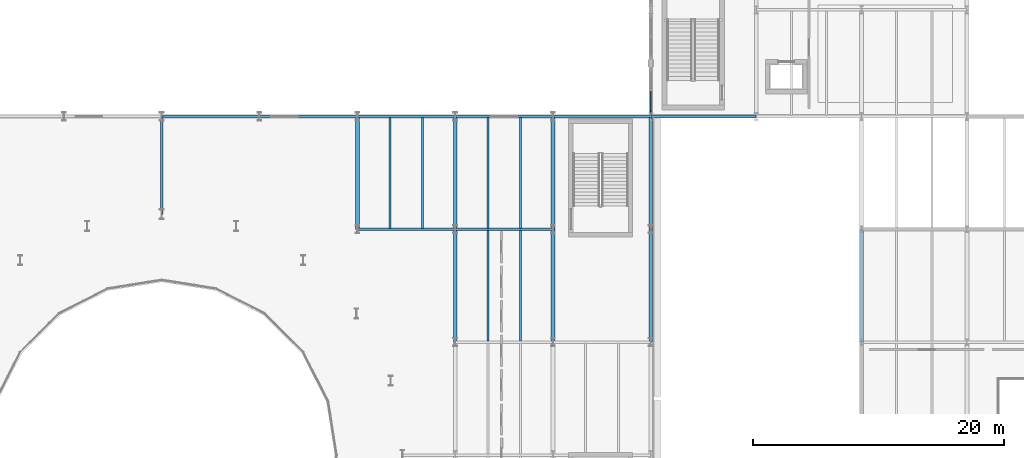
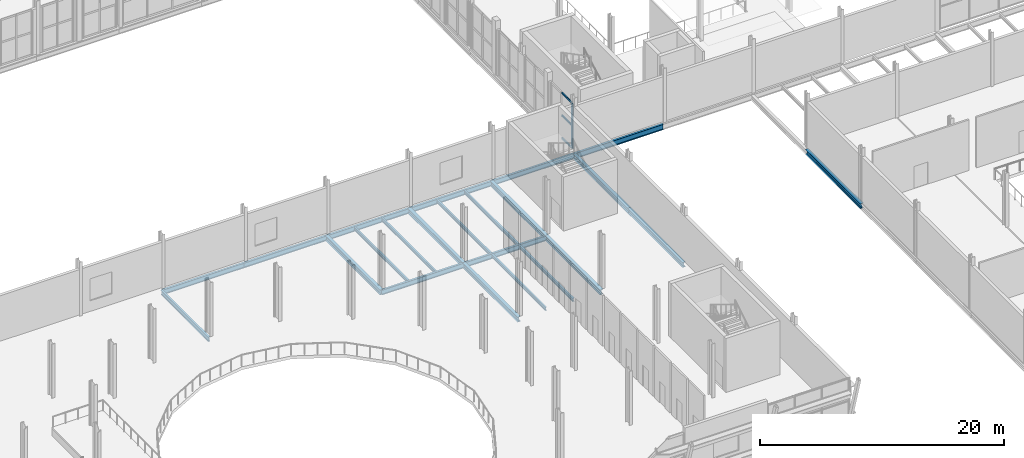
# One storey, part 22 of 78: 23 beams, 4 members, 1 element without a shape of its own.
"""IFC4 building model written with IfcOpenShell, lengths in metres."""

from ifc_helpers import new_model, si_unit, direction, frame, origin, origin_2d, place, context, subcontext, project, spatial, rectangle, i_section, extrude, material, layer, layer_set, material_profile, profile_set, type_object, element, aggregate, save


model = new_model("IFC4")

# Units and contexts
model_context = context("Model", 3, precision=1e-05, world=origin(), true_north=direction((0.0, 1.0)))
body_context = subcontext(model_context, "Body", "Model", "MODEL_VIEW")
ifc_project = project(units=[si_unit("LENGTHUNIT", "METRE"), si_unit("AREAUNIT", "SQUARE_METRE"), si_unit("VOLUMEUNIT", "CUBIC_METRE"), si_unit("PLANEANGLEUNIT", "RADIAN"), si_unit("MASSUNIT", "GRAM", prefix="KILO")], contexts=[model_context])

# Site, building, storey
site_placement = place(None, origin())
site = spatial("IfcSite", under=ifc_project, at=site_placement, CompositionType="ELEMENT")
building_placement = place(site_placement, origin())
building = spatial("IfcBuilding", under=site, at=building_placement, Name="Sefraquen Railside Congress Hotel", CompositionType="ELEMENT")
storey_placement = place(building_placement, frame((0.0, 0.0, 6.0)))
storey = spatial("IfcBuildingStorey", under=building, at=storey_placement, Name="L01", CompositionType="ELEMENT", Elevation=6.0)

# Beams
ifc_material_1 = material(Name="Steel S355JR", Category="steel")
ifc_material_profile_1 = material_profile(ifc_material_1, i_section(OverallWidth=0.18994140625, OverallDepth=0.449951171875, WebThickness=0.009521484375, FlangeThickness=0.0146484375, FilletRadius=0.02099609375, at=origin_2d()), Name="IPE 450")
ifc_profile_set_1 = profile_set([ifc_material_profile_1], Name="Steel S355JR")
beam_type_1 = type_object("IfcBeamType", Name="TB-BM-450", PredefinedType="BEAM", material=ifc_profile_set_1)
beam_1_placement = place(storey_placement, frame((64.199951171875, 46.199951171875, -0.52490234375), z_axis=(0.0, 1.0, 0.0), x_axis=(-1.0, 0.0, 0.0)))
element("IfcBeam", 1, at=beam_1_placement, inside=storey, type_object=beam_type_1, Name="Floor beam BM-L01-0572", PredefinedType="BEAM", context=body_context, shape_type="SweptSolid", body=[
    extrude(i_section(OverallWidth=0.18994140625, OverallDepth=0.449951171875, WebThickness=0.009521484375, FlangeThickness=0.0146484375, FilletRadius=0.02099609375, at=origin_2d()), origin(), (0.0, 0.0, 1.0), 7.800048828125),
])
ifc_material_profile_2 = material_profile(ifc_material_1, i_section(OverallWidth=0.199951171875, OverallDepth=0.5, WebThickness=0.01025390625, FlangeThickness=0.01611328125, FilletRadius=0.02099609375, at=origin_2d()), Name="IPE 500")
ifc_profile_set_2 = profile_set([ifc_material_profile_2], Name="Steel S355JR")
beam_type_2 = type_object("IfcBeamType", Name="TB-BM-500", PredefinedType="BEAM", material=ifc_profile_set_2)
beam_2_placement = place(storey_placement, frame((79.800048828125, 45.0, -0.550048828125), z_axis=(1.0, 0.0, 0.0), x_axis=(0.0, 1.0, 0.0)))
element("IfcBeam", 2, at=beam_2_placement, inside=storey, type_object=beam_type_2, Name="Primary girder BM-L01-0384", PredefinedType="BEAM", context=body_context, shape_type="SweptSolid", body=[
    extrude(i_section(OverallWidth=0.199951171875, OverallDepth=0.5, WebThickness=0.01025390625, FlangeThickness=0.01611328125, FilletRadius=0.02099609375, at=origin_2d()), origin(), (0.0, 0.0, 1.0), 7.800048828125),
])
beam_3_placement = place(storey_placement, frame((87.60009765625, 45.0, -0.550048828125), z_axis=(1.0, 0.0, 0.0), x_axis=(0.0, 1.0, 0.0)))
element("IfcBeam", 3, at=beam_3_placement, inside=storey, type_object=beam_type_2, Name="Primary girder BM-L01-0385", PredefinedType="BEAM", context=body_context, shape_type="SweptSolid", body=[
    extrude(i_section(OverallWidth=0.199951171875, OverallDepth=0.5, WebThickness=0.01025390625, FlangeThickness=0.01611328125, FilletRadius=0.02099609375, at=origin_2d()), origin(), (0.0, 0.0, 1.0), 7.7998046875),
])
for number, where, z_axis, x_axis, name in (
    (4, (64.199951171875, 54.0, -0.550048828125), (1.0, 0.0, 0.0), (0.0, 1.0, 0.0), "Primary girder BM-L01-0397"),
    (5, (72.0, 54.0, -0.550048828125), (1.0, 0.0, 0.0), (0.0, 1.0, 0.0), "Primary girder BM-L01-0398"),
    (6, (79.800048828125, 54.0, -0.550048828125), (1.0, 0.0, 0.0), (0.0, 1.0, 0.0), "Primary girder BM-L01-0399"),
):
    element("IfcBeam", number, at=place(storey_placement, frame(where, z_axis=z_axis, x_axis=x_axis)), inside=storey, type_object=beam_type_2, Name=name, PredefinedType="BEAM", context=body_context, shape_type="SweptSolid", body=[
        extrude(i_section(OverallWidth=0.199951171875, OverallDepth=0.5, WebThickness=0.01025390625, FlangeThickness=0.01611328125, FilletRadius=0.02099609375, at=origin_2d()), origin(), (0.0, 0.0, 1.0), 7.800048828125),
    ])
beam_4_placement = place(storey_placement, frame((87.60009765625, 54.0, -0.550048828125), z_axis=(1.0, 0.0, 0.0), x_axis=(0.0, 1.0, 0.0)))
element("IfcBeam", 7, at=beam_4_placement, inside=storey, type_object=beam_type_2, Name="Primary girder BM-L01-0400", PredefinedType="BEAM", context=body_context, shape_type="SweptSolid", body=[
    extrude(i_section(OverallWidth=0.199951171875, OverallDepth=0.5, WebThickness=0.01025390625, FlangeThickness=0.01611328125, FilletRadius=0.02099609375, at=origin_2d()), origin(), (0.0, 0.0, 1.0), 7.7998046875),
])
beam_5_placement = place(storey_placement, frame((95.39990234375, 54.0, -0.550048828125), z_axis=(1.0, 0.0, 0.0), x_axis=(0.0, 1.0, 0.0)))
element("IfcBeam", 8, at=beam_5_placement, inside=storey, type_object=beam_type_2, Name="Primary girder BM-L01-0401", PredefinedType="BEAM", context=body_context, shape_type="SweptSolid", body=[
    extrude(i_section(OverallWidth=0.199951171875, OverallDepth=0.5, WebThickness=0.01025390625, FlangeThickness=0.01611328125, FilletRadius=0.02099609375, at=origin_2d()), origin(), (0.0, 0.0, 1.0), 7.800048828125),
])
ifc_material_profile_3 = material_profile(ifc_material_1, i_section(OverallWidth=0.300048828125, OverallDepth=0.489990234375, WebThickness=0.011962890625, FlangeThickness=0.02294921875, FilletRadius=0.027099609375, at=origin_2d()), Name="HEA 500")
ifc_profile_set_3 = profile_set([ifc_material_profile_3], Name="Steel S355JR")
beam_type_3 = type_object("IfcBeamType", Name="TB-GIR-500", PredefinedType="T_BEAM", material=ifc_profile_set_3)
for number, where, z_axis, x_axis, name in (
    (9, (79.800048828125, 45.0, -0.544921875), (0.0, 1.0, 0.0), (-1.0, 0.0, 0.0), "Floor beam BM-L01-0581"),
    (10, (87.60009765625, 36.0, -0.544921875), (0.0, 1.0, 0.0), (-1.0, 0.0, 0.0), "Floor beam BM-L01-0589"),
    (11, (87.60009765625, 45.0, -0.544921875), (0.0, 1.0, 0.0), (-1.0, 0.0, 0.0), "Floor beam BM-L01-0590"),
    (12, (95.39990234375, 36.0, -0.544921875), (0.0, 1.0, 0.0), (-1.0, 0.0, 0.0), "Floor beam BM-L01-0598"),
    (13, (95.39990234375, 45.0, -0.544921875), (0.0, 1.0, 0.0), (-1.0, 0.0, 0.0), "Floor beam BM-L01-0599"),
    (14, (103.199951171875, 36.0, -0.544921875), (0.0, 1.0, 0.0), (-1.0, 0.0, 0.0), "Floor beam BM-L01-0607"),
    (15, (103.199951171875, 45.0, -0.544921875), (0.0, 1.0, 0.0), (-1.0, 0.0, 0.0), "Floor beam BM-L01-0608"),
    (16, (120.0, 36.0, -0.544921875), (0.0, 1.0, 0.0), (-1.0, 0.0, 0.0), "Floor beam BM-L01-0628"),
):
    element("IfcBeam", number, at=place(storey_placement, frame(where, z_axis=z_axis, x_axis=x_axis)), inside=storey, type_object=beam_type_3, Name=name, PredefinedType="T_BEAM", context=body_context, shape_type="SweptSolid", body=[
        extrude(i_section(OverallWidth=0.300048828125, OverallDepth=0.489990234375, WebThickness=0.011962890625, FlangeThickness=0.02294921875, FilletRadius=0.027099609375, at=origin_2d()), origin(), (0.0, 0.0, 1.0), 9.0),
    ])
ifc_material_profile_4 = material_profile(ifc_material_1, i_section(OverallWidth=0.2099609375, OverallDepth=0.550048828125, WebThickness=0.010986328125, FlangeThickness=0.01708984375, FilletRadius=0.02392578125, at=origin_2d()), Name="IPE 550")
ifc_profile_set_4 = profile_set([ifc_material_profile_4], Name="Steel S355JR")
beam_type_4 = type_object("IfcBeamType", Name="TB-GIR-550", PredefinedType="T_BEAM", material=ifc_profile_set_4)
beam_6_placement = place(storey_placement, frame((103.199951171875, 54.0, -0.574951171875), z_axis=(1.0, 0.0, 0.0), x_axis=(0.0, 1.0, 0.0)))
element("IfcBeam", 17, at=beam_6_placement, inside=storey, type_object=beam_type_4, Name="Primary girder BM-L01-0402", PredefinedType="T_BEAM", context=body_context, shape_type="SweptSolid", body=[
    extrude(i_section(OverallWidth=0.2099609375, OverallDepth=0.550048828125, WebThickness=0.010986328125, FlangeThickness=0.01708984375, FilletRadius=0.02392578125, at=origin_2d()), origin(), (0.0, 0.0, 1.0), 8.400146484375),
])
ifc_material_profile_5 = material_profile(ifc_material_1, i_section(OverallWidth=0.159912109375, OverallDepth=0.330078125, WebThickness=0.007568359375, FlangeThickness=0.011474609375, FilletRadius=0.01806640625, at=origin_2d()), Name="IPE 330")
ifc_profile_set_5 = profile_set([ifc_material_profile_5], Name="Steel S355JR")
beam_type_5 = type_object("IfcBeamType", Name="TB-JST-330", PredefinedType="JOIST", material=ifc_profile_set_5)
for number, where, z_axis, x_axis, name in (
    (18, (82.39990234375, 45.080078125, -0.465087890625), (0.0, 1.0, 0.0), (-1.0, 0.0, 0.0), "Composite floor joist BM-L01-J0314"),
    (19, (85.0, 45.080078125, -0.465087890625), (0.0, 1.0, 0.0), (-1.0, 0.0, 0.0), "Composite floor joist BM-L01-J0315"),
    (20, (90.199951171875, 36.080078125, -0.465087890625), (0.0, 1.0, 0.0), (-1.0, 0.0, 0.0), "Composite floor joist BM-L01-J0330"),
    (21, (92.800048828125, 36.080078125, -0.465087890625), (0.0, 1.0, 0.0), (-1.0, 0.0, 0.0), "Composite floor joist BM-L01-J0331"),
    (22, (90.199951171875, 45.080078125, -0.465087890625), (0.0, 1.0, 0.0), (-1.0, 0.0, 0.0), "Composite floor joist BM-L01-J0332"),
    (23, (92.800048828125, 45.080078125, -0.465087890625), (0.0, 1.0, 0.0), (-1.0, 0.0, 0.0), "Composite floor joist BM-L01-J0333"),
):
    element("IfcBeam", number, at=place(storey_placement, frame(where, z_axis=z_axis, x_axis=x_axis)), inside=storey, type_object=beam_type_5, Name=name, PredefinedType="JOIST", context=body_context, shape_type="SweptSolid", body=[
        extrude(i_section(OverallWidth=0.159912109375, OverallDepth=0.330078125, WebThickness=0.007568359375, FlangeThickness=0.011474609375, FilletRadius=0.01806640625, at=origin_2d()), origin(), (0.0, 0.0, 1.0), 8.83984375),
    ])

# Curtain wall, members
ifc_material_2 = material(Name="Thermally broken anodised aluminium and low-E double glazing", Category="aluminium")
ifc_layer = layer(ifc_material_2, 0.199951171875)
ifc_layer_set = layer_set([ifc_layer], Name="Thermally broken anodised aluminium and low-E double glazing")
curtain_wall_type = type_object("IfcCurtainWallType", Name="TCW-UCW-14", PredefinedType="USERDEFINED", material=ifc_layer_set)
curtain_wall_placement = place(storey_placement, origin())
curtain_wall = element("IfcCurtainWall", 24, at=curtain_wall_placement, inside=storey, type_object=curtain_wall_type, Name="Courtyard east gallery curtain wall L01", ObjectType="UNITISED CURTAIN WALL", PredefinedType="USERDEFINED")
ifc_material_3 = material(Name="Thermally broken anodised aluminium 6063-T6", Category="aluminium")
ifc_material_profile_6 = material_profile(ifc_material_3, rectangle(XDim=0.094970703125, YDim=0.300048828125, at=origin_2d()), Name="CWM 95x300")
ifc_profile_set_6 = profile_set([ifc_material_profile_6], Name="Thermally broken anodised aluminium 6063-T6")
member_type_1 = type_object("IfcMemberType", Name="TM-CWM-08", PredefinedType="MULLION", material=ifc_profile_set_6)
member_1_placement = place(storey_placement, frame((103.199951171875, 54.31005859375, 0.0), z_axis=(0.0, 0.0, 1.0), x_axis=(1.0, 0.0, 0.0)))
member_1 = element("IfcMember", 25, at=member_1_placement, type_object=member_type_1, Name="CW-L01-046 mullion 1", PredefinedType="MULLION", context=body_context, shape_type="SweptSolid", body=[
    extrude(rectangle(XDim=0.094970703125, YDim=0.300048828125, at=origin_2d()), origin(), (0.0, 0.0, 1.0), 4.5),
])
ifc_material_profile_7 = material_profile(ifc_material_3, rectangle(XDim=0.0849609375, YDim=0.195068359375, at=origin_2d()), Name="CWT 85x195")
ifc_profile_set_7 = profile_set([ifc_material_profile_7], Name="Thermally broken anodised aluminium 6063-T6")
member_type_2 = type_object("IfcMemberType", Name="TM-CWT-06", PredefinedType="USERDEFINED", material=ifc_profile_set_7)
member_2_placement = place(storey_placement, frame((103.199951171875, 54.35498046875, 0.0), z_axis=(0.0, 1.0, 0.0), x_axis=(-1.0, 0.0, 0.0)))
member_2 = element("IfcMember", 26, at=member_2_placement, type_object=member_type_2, Name="CW-L01-046 transom 1.1", ObjectType="TRANSOM", PredefinedType="USERDEFINED", context=body_context, shape_type="SweptSolid", body=[
    extrude(rectangle(XDim=0.0849609375, YDim=0.195068359375, at=origin_2d()), origin(), (0.0, 0.0, 1.0), 1.64013671875),
])
member_3_placement = place(storey_placement, frame((103.199951171875, 54.35498046875, 2.25), z_axis=(0.0, 1.0, 0.0), x_axis=(-1.0, 0.0, 0.0)))
member_3 = element("IfcMember", 27, at=member_3_placement, type_object=member_type_2, Name="CW-L01-046 transom 2.1", ObjectType="TRANSOM", PredefinedType="USERDEFINED", context=body_context, shape_type="SweptSolid", body=[
    extrude(rectangle(XDim=0.0849609375, YDim=0.195068359375, at=origin_2d()), origin(), (0.0, 0.0, 1.0), 1.64013671875),
])
member_4_placement = place(storey_placement, frame((103.199951171875, 54.35498046875, 4.5), z_axis=(0.0, 1.0, 0.0), x_axis=(-1.0, 0.0, 0.0)))
member_4 = element("IfcMember", 28, at=member_4_placement, type_object=member_type_2, Name="CW-L01-046 transom 3.1", ObjectType="TRANSOM", PredefinedType="USERDEFINED", context=body_context, shape_type="SweptSolid", body=[
    extrude(rectangle(XDim=0.0849609375, YDim=0.195068359375, at=origin_2d()), origin(), (0.0, 0.0, 1.0), 1.64013671875),
])
aggregate(curtain_wall, [member_1, member_2, member_3, member_4])

save(model, "model.ifc")
